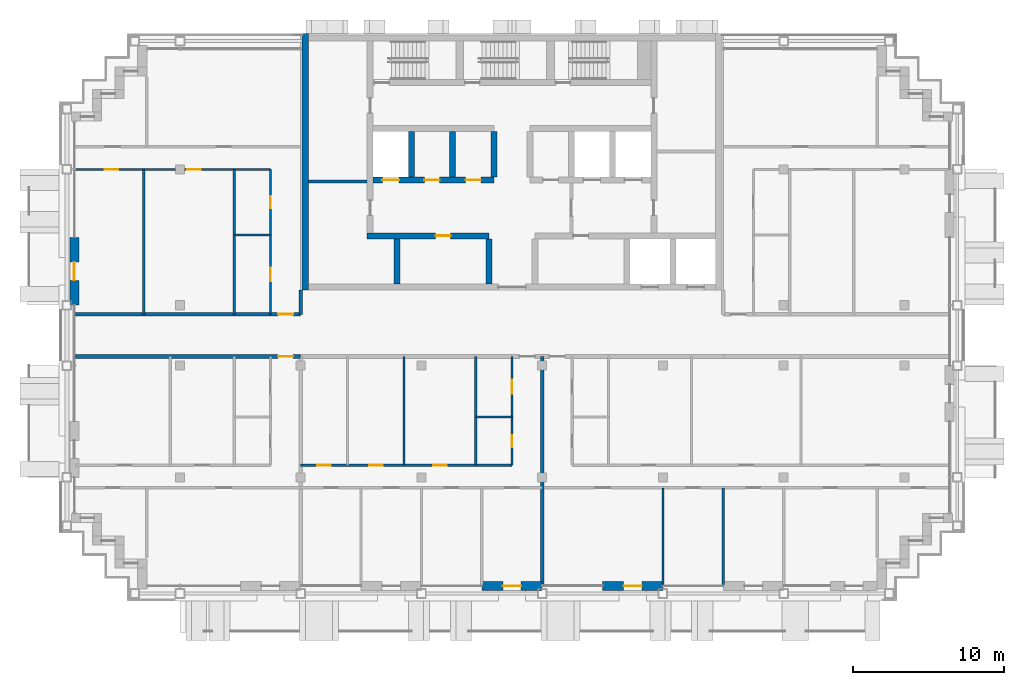
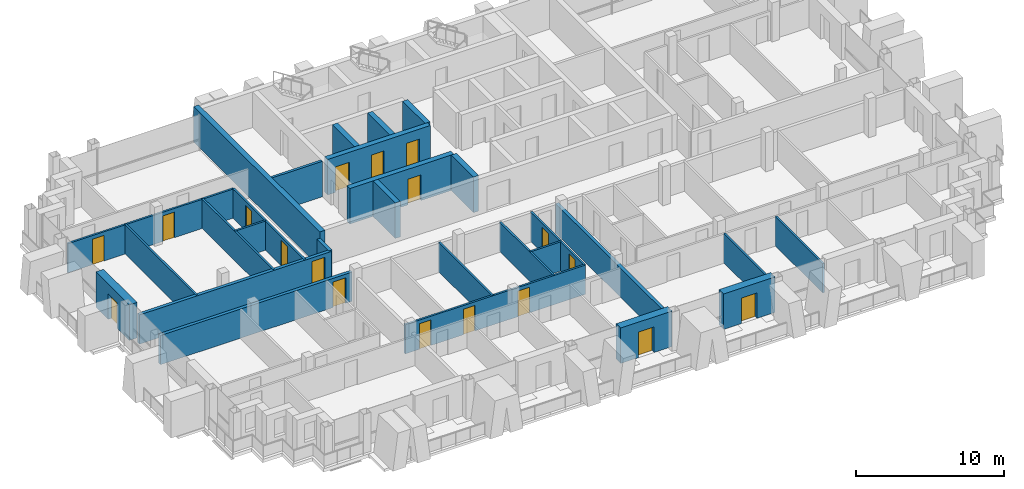
# One storey, part 8 of 15: 28 walls, 18 doors, 18 openings.
"""IFC4 building model written with IfcOpenShell, lengths in metres."""

from ifc_helpers import new_model, si_unit, direction, frame, frame_2d, origin, place, context, subcontext, project, spatial, rectangle, extrude, material, layer, layer_set, type_object, element, fill, save


model = new_model("IFC4")

# Units and contexts
model_context = context("Model", 3, precision=1e-05, world=origin(), true_north=direction((0.0, 1.0)))
body_context = subcontext(model_context, "Body", "Model", "MODEL_VIEW")
ifc_project = project(units=[si_unit("LENGTHUNIT", "METRE"), si_unit("AREAUNIT", "SQUARE_METRE"), si_unit("VOLUMEUNIT", "CUBIC_METRE"), si_unit("PLANEANGLEUNIT", "RADIAN"), si_unit("MASSUNIT", "GRAM", prefix="KILO")], contexts=[model_context])

# Site, building, storey
site_placement = place(None, origin())
site = spatial("IfcSite", under=ifc_project, at=site_placement, CompositionType="ELEMENT")
building_placement = place(site_placement, origin())
building = spatial("IfcBuilding", under=site, at=building_placement, Name="Vidyagriha Tower", CompositionType="ELEMENT")
storey_placement = place(building_placement, frame((0.0, 0.0, 233.199951171875)))
storey = spatial("IfcBuildingStorey", under=building, at=storey_placement, Name="L61", CompositionType="ELEMENT", Elevation=233.199951171875)

# Wall, opening, door
ifc_material_1 = material(Name="Precast concrete C40/50 with brick facing", Category="concrete")
ifc_layer_1 = layer(ifc_material_1, 0.60009765625)
ifc_layer_set_1 = layer_set([ifc_layer_1], Name="Precast concrete C40/50 with brick facing")
wall_type_1 = type_object("IfcWallType", Name="Brick-faced precast wall 600", PredefinedType="STANDARD", material=ifc_layer_set_1)
wall_1_placement = place(storey_placement, frame((-29.0, 6.5, 0.0), z_axis=(0.0, 0.0, 1.0), x_axis=(0.0, -1.0, 0.0)))
wall_1 = element("IfcWall", 1, at=wall_1_placement, inside=storey, type_object=wall_type_1, Name="Brick door bay wall L61 R16.3", PredefinedType="STANDARD", context=body_context, shape_type="SweptSolid", body=[
    extrude(rectangle(XDim=4.5, YDim=0.60009765625, at=frame_2d((2.25, 0.0))), origin(), (0.0, 0.0, 1.0), 2.920166015625),
])
opening_1_placement = place(wall_1_placement, frame((1.64990234375, 0.0, 0.0)))
opening_1 = element("IfcOpeningElement", 2, at=opening_1_placement, cuts=wall_1, Name="Opening D61-57", PredefinedType="OPENING", context=body_context, shape_type="SweptSolid", body=[
    extrude(rectangle(XDim=1.199951171875, YDim=2.10009765625, at=frame_2d((0.60009765625, 1.050048828125))), frame((0.0, 0.31005859375, 0.0), z_axis=(0.0, -1.0, 0.0), x_axis=(1.0, 0.0, 0.0)), (0.0, 0.0, 1.0), 0.6201171875),
])
ifc_material_2 = material(Name="Aluminium framed glazed sliding door", Category="aluminium")
door_type_1 = type_object("IfcDoorType", Name="Balcony sliding door 1200x2100", OperationType="NOTDEFINED", PredefinedType="DOOR", material=ifc_material_2)
door_1_placement = place(opening_1_placement, origin())
door_1 = element("IfcDoor", 3, at=door_1_placement, inside=storey, type_object=door_type_1, Name="Door D61-57", OperationType="SLIDING_TO_LEFT", OverallHeight=2.10009765625, OverallWidth=1.199951171875, PredefinedType="DOOR", context=body_context, shape_type="SweptSolid", body=[
    extrude(rectangle(XDim=1.199951171875, YDim=2.10009765625, at=frame_2d((0.60009765625, 1.050048828125))), frame((0.0, 0.02490234375, 0.0), z_axis=(0.0, -1.0, 0.0), x_axis=(1.0, 0.0, 0.0)), (0.0, 0.0, 1.0), 0.050048828125),
])
fill(opening_1, door_1)

wall_2_placement = place(storey_placement, frame((-2.0, -16.60009765625, 0.0)))
wall_2 = element("IfcWall", 4, at=wall_2_placement, inside=storey, type_object=wall_type_1, Name="Brick door bay wall L61 R23.7", PredefinedType="STANDARD", context=body_context, shape_type="SweptSolid", body=[
    extrude(rectangle(XDim=4.0, YDim=0.60009765625, at=frame_2d((2.0, 0.0))), origin(), (0.0, 0.0, 1.0), 2.920166015625),
])
opening_2_placement = place(wall_2_placement, frame((1.39990234375, 0.0, 0.0)))
opening_2 = element("IfcOpeningElement", 5, at=opening_2_placement, cuts=wall_2, Name="Opening D61-61", PredefinedType="OPENING", context=body_context, shape_type="SweptSolid", body=[
    extrude(rectangle(XDim=1.199951171875, YDim=2.10009765625, at=frame_2d((0.60009765625, 1.050048828125))), frame((0.0, 0.31005859375, 0.0), z_axis=(0.0, -1.0, 0.0), x_axis=(1.0, 0.0, 0.0)), (0.0, 0.0, 1.0), 0.6201171875),
])
door_2_placement = place(opening_2_placement, origin())
door_2 = element("IfcDoor", 6, at=door_2_placement, inside=storey, type_object=door_type_1, Name="Door D61-61", OperationType="SLIDING_TO_LEFT", OverallHeight=2.10009765625, OverallWidth=1.199951171875, PredefinedType="DOOR", context=body_context, shape_type="SweptSolid", body=[
    extrude(rectangle(XDim=1.199951171875, YDim=2.10009765625, at=frame_2d((0.60009765625, 1.050048828125))), frame((0.0, 0.02490234375, 0.0), z_axis=(0.0, -1.0, 0.0), x_axis=(1.0, 0.0, 0.0)), (0.0, 0.0, 1.0), 0.050048828125),
])
fill(opening_2, door_2)

wall_3_placement = place(storey_placement, frame((6.0, -16.60009765625, 0.0)))
wall_3 = element("IfcWall", 7, at=wall_3_placement, inside=storey, type_object=wall_type_1, Name="Brick door bay wall L61 R23.9", PredefinedType="STANDARD", context=body_context, shape_type="SweptSolid", body=[
    extrude(rectangle(XDim=4.0, YDim=0.60009765625, at=frame_2d((2.0, 0.0))), origin(), (0.0, 0.0, 1.0), 2.920166015625),
])
opening_3_placement = place(wall_3_placement, frame((1.39990234375, 0.0, 0.0)))
opening_3 = element("IfcOpeningElement", 8, at=opening_3_placement, cuts=wall_3, Name="Opening D61-62", PredefinedType="OPENING", context=body_context, shape_type="SweptSolid", body=[
    extrude(rectangle(XDim=1.199951171875, YDim=2.10009765625, at=frame_2d((0.60009765625, 1.050048828125))), frame((0.0, 0.31005859375, 0.0), z_axis=(0.0, -1.0, 0.0), x_axis=(1.0, 0.0, 0.0)), (0.0, 0.0, 1.0), 0.6201171875),
])
door_3_placement = place(opening_3_placement, origin())
door_3 = element("IfcDoor", 9, at=door_3_placement, inside=storey, type_object=door_type_1, Name="Door D61-62", OperationType="SLIDING_TO_LEFT", OverallHeight=2.10009765625, OverallWidth=1.199951171875, PredefinedType="DOOR", context=body_context, shape_type="SweptSolid", body=[
    extrude(rectangle(XDim=1.199951171875, YDim=2.10009765625, at=frame_2d((0.60009765625, 1.050048828125))), frame((0.0, 0.02490234375, 0.0), z_axis=(0.0, -1.0, 0.0), x_axis=(1.0, 0.0, 0.0)), (0.0, 0.0, 1.0), 0.050048828125),
])
fill(opening_3, door_3)

# Wall
ifc_material_3 = material(Name="Concrete C60/75", Category="concrete")
ifc_layer_2 = layer(ifc_material_3, 0.39990234375)
ifc_layer_set_2 = layer_set([ifc_layer_2], Name="Concrete C60/75")
wall_type_2 = type_object("IfcWallType", Name="Core shear wall 400 mm", PredefinedType="SHEAR", material=ifc_layer_set_2)
wall_4_placement = place(storey_placement, frame((-13.699951171875, 3.0, 0.0), z_axis=(0.0, 0.0, 1.0), x_axis=(0.0, 1.0, 0.0)))
element("IfcWall", 10, at=wall_4_placement, inside=storey, type_object=wall_type_2, Name="Core west wall", PredefinedType="SHEAR", context=body_context, shape_type="SweptSolid", body=[
    extrude(rectangle(XDim=17.0, YDim=0.39990234375, at=frame_2d((8.5, 0.0))), origin(), (0.0, 0.0, 1.0), 2.920166015625),
])

# Wall, opening, door
wall_5_placement = place(storey_placement, frame((-9.60009765625, 6.60009765625, 0.0)))
wall_5 = element("IfcWall", 11, at=wall_5_placement, inside=storey, type_object=wall_type_2, Name="Core lobby south wall west", PredefinedType="SHEAR", context=body_context, shape_type="SweptSolid", body=[
    extrude(rectangle(XDim=8.077880859375, YDim=0.39990234375, at=frame_2d((4.0390625, 0.0))), origin(), (0.0, 0.0, 1.0), 2.920166015625),
])
opening_4_placement = place(wall_5_placement, frame((4.533203125, 0.0, 0.0)))
opening_4 = element("IfcOpeningElement", 12, at=opening_4_placement, cuts=wall_5, Name="Opening D61-02", PredefinedType="OPENING", context=body_context, shape_type="SweptSolid", body=[
    extrude(rectangle(XDim=1.0, YDim=2.10009765625, at=frame_2d((0.5, 1.050048828125))), frame((0.0, 0.2099609375, 0.0), z_axis=(0.0, -1.0, 0.0), x_axis=(1.0, 0.0, 0.0)), (0.0, 0.0, 1.0), 0.419921875),
])
ifc_material_4 = material(Name="Hollow metal door leaf")
door_type_2 = type_object("IfcDoorType", Name="Core room door 1000 x 2100 mm EI 60", OperationType="NOTDEFINED", PredefinedType="DOOR", material=ifc_material_4)
door_4_placement = place(opening_4_placement, origin())
door_4 = element("IfcDoor", 13, at=door_4_placement, inside=storey, type_object=door_type_2, Name="Door Electrical Room 61.01", OperationType="SINGLE_SWING_RIGHT", OverallHeight=2.10009765625, OverallWidth=1.0, PredefinedType="DOOR", context=body_context, shape_type="SweptSolid", body=[
    extrude(rectangle(XDim=1.0, YDim=2.10009765625, at=frame_2d((0.5, 1.050048828125))), frame((0.0, 0.02490234375, 0.0), z_axis=(0.0, -1.0, 0.0), x_axis=(1.0, 0.0, 0.0)), (0.0, 0.0, 1.0), 0.050048828125),
])
fill(opening_4, door_4)

# Walls
for number, where, z_axis, x_axis, name in (
    (14, (-7.611083984375, 3.39990234375, 0.0), (0.0, 0.0, 1.0), (0.0, 1.0, 0.0), "Core bay wall S2"),
    (15, (-1.522216796875, 3.39990234375, 0.0), (0.0, 0.0, 1.0), (0.0, 1.0, 0.0), "Core bay wall S4"),
):
    element("IfcWall", number, at=place(storey_placement, frame(where, z_axis=z_axis, x_axis=x_axis)), inside=storey, type_object=wall_type_2, Name=name, PredefinedType="SHEAR", context=body_context, shape_type="SweptSolid", body=[
        extrude(rectangle(XDim=3.0, YDim=0.39990234375, at=frame_2d((1.5, 0.0))), origin(), (0.0, 0.0, 1.0), 2.920166015625),
    ])

# Wall, openings, doors
wall_6_placement = place(storey_placement, frame((-9.199951171875, 10.300048828125, 0.0)))
wall_6 = element("IfcWall", 16, at=wall_6_placement, inside=storey, type_object=wall_type_2, Name="Core row N front wall", PredefinedType="SHEAR", context=body_context, shape_type="SweptSolid", body=[
    extrude(rectangle(XDim=8.0, YDim=0.39990234375, at=frame_2d((4.0, 0.0))), origin(), (0.0, 0.0, 1.0), 2.920166015625),
])
opening_5_placement = place(wall_6_placement, frame((0.61669921875, 0.0, 0.0)))
opening_5 = element("IfcOpeningElement", 17, at=opening_5_placement, cuts=wall_6, Name="Opening LD61-03", PredefinedType="OPENING", context=body_context, shape_type="SweptSolid", body=[
    extrude(rectangle(XDim=1.10009765625, YDim=2.10009765625, at=frame_2d((0.550048828125, 1.050048828125))), frame((0.0, 0.2099609375, 0.0), z_axis=(0.0, -1.0, 0.0), x_axis=(1.0, 0.0, 0.0)), (0.0, 0.0, 1.0), 0.419921875),
])
opening_6_placement = place(wall_6_placement, frame((3.39990234375, 0.0, 0.0)))
opening_6 = element("IfcOpeningElement", 18, at=opening_6_placement, cuts=wall_6, Name="Opening D61-04", PredefinedType="OPENING", context=body_context, shape_type="SweptSolid", body=[
    extrude(rectangle(XDim=1.0, YDim=2.10009765625, at=frame_2d((0.5, 1.050048828125))), frame((0.0, 0.2099609375, 0.0), z_axis=(0.0, -1.0, 0.0), x_axis=(1.0, 0.0, 0.0)), (0.0, 0.0, 1.0), 0.419921875),
])
opening_7_placement = place(wall_6_placement, frame((6.13330078125, 0.0, 0.0)))
opening_7 = element("IfcOpeningElement", 19, at=opening_7_placement, cuts=wall_6, Name="Opening D61-05", PredefinedType="OPENING", context=body_context, shape_type="SweptSolid", body=[
    extrude(rectangle(XDim=1.0, YDim=2.10009765625, at=frame_2d((0.5, 1.050048828125))), frame((0.0, 0.2099609375, 0.0), z_axis=(0.0, -1.0, 0.0), x_axis=(1.0, 0.0, 0.0)), (0.0, 0.0, 1.0), 0.419921875),
])
door_5_placement = place(opening_6_placement, frame((1.0, 0.0, 0.0), z_axis=(0.0, 0.0, 1.0), x_axis=(-1.0, 0.0, 0.0)))
door_5 = element("IfcDoor", 20, at=door_5_placement, inside=storey, type_object=door_type_2, Name="Door Switchgear Room 61.14", OperationType="SINGLE_SWING_RIGHT", OverallHeight=2.10009765625, OverallWidth=1.0, PredefinedType="DOOR", context=body_context, shape_type="SweptSolid", body=[
    extrude(rectangle(XDim=1.0, YDim=2.10009765625, at=frame_2d((0.5, 1.050048828125))), frame((0.0, 0.02490234375, 0.0), z_axis=(0.0, -1.0, 0.0), x_axis=(1.0, 0.0, 0.0)), (0.0, 0.0, 1.0), 0.050048828125),
])
fill(opening_6, door_5)
door_6_placement = place(opening_7_placement, frame((1.0, 0.0, 0.0), z_axis=(0.0, 0.0, 1.0), x_axis=(-1.0, 0.0, 0.0)))
door_6 = element("IfcDoor", 21, at=door_6_placement, inside=storey, type_object=door_type_2, Name="Door Storage Room 61.15", OperationType="SINGLE_SWING_LEFT", OverallHeight=2.10009765625, OverallWidth=1.0, PredefinedType="DOOR", context=body_context, shape_type="SweptSolid", body=[
    extrude(rectangle(XDim=1.0, YDim=2.10009765625, at=frame_2d((0.5, 1.050048828125))), frame((0.0, 0.02490234375, 0.0), z_axis=(0.0, -1.0, 0.0), x_axis=(1.0, 0.0, 0.0)), (0.0, 0.0, 1.0), 0.050048828125),
])
fill(opening_7, door_6)
ifc_material_5 = material(Name="Stainless steel sliding door panel", Category="steel")
door_type_3 = type_object("IfcDoorType", Name="Lift landing door 1100 x 2100 mm EI 90", OperationType="NOTDEFINED", PredefinedType="DOOR", material=ifc_material_5)
door_7_placement = place(opening_5_placement, origin())
door_7 = element("IfcDoor", 22, at=door_7_placement, inside=storey, type_object=door_type_3, Name="Landing door MR3 L61", OperationType="SLIDING_TO_LEFT", OverallHeight=2.10009765625, OverallWidth=1.10009765625, PredefinedType="DOOR", context=body_context, shape_type="SweptSolid", body=[
    extrude(rectangle(XDim=1.10009765625, YDim=2.10009765625, at=frame_2d((0.550048828125, 1.050048828125))), frame((0.0, 0.02490234375, 0.0), z_axis=(0.0, -1.0, 0.0), x_axis=(1.0, 0.0, 0.0)), (0.0, 0.0, 1.0), 0.050048828125),
])
fill(opening_5, door_7)

# Walls
for number, where, z_axis, x_axis, name in (
    (23, (-6.666748046875, 10.5, 0.0), (0.0, 0.0, 1.0), (0.0, 1.0, 0.0), "Core bay wall N1"),
    (24, (-3.933349609375, 10.5, 0.0), (0.0, 0.0, 1.0), (0.0, 1.0, 0.0), "Core bay wall N2"),
    (25, (-1.199951171875, 10.5, 0.0), (0.0, 0.0, 1.0), (0.0, 1.0, 0.0), "Core bay wall N3"),
):
    element("IfcWall", number, at=place(storey_placement, frame(where, z_axis=z_axis, x_axis=x_axis)), inside=storey, type_object=wall_type_2, Name=name, PredefinedType="SHEAR", context=body_context, shape_type="SweptSolid", body=[
        extrude(rectangle(XDim=3.0, YDim=0.39990234375, at=frame_2d((1.5, 0.0))), origin(), (0.0, 0.0, 1.0), 2.920166015625),
    ])

# Wall, opening, door
ifc_material_6 = material(Name="Fired clay brick masonry", Category="masonry")
ifc_layer_3 = layer(ifc_material_6, 0.25)
ifc_layer_set_3 = layer_set([ifc_layer_3], Name="Fired clay brick masonry")
wall_type_3 = type_object("IfcWallType", Name="Fired clay brick corridor wall 250", PredefinedType="PARTITIONING", material=ifc_layer_set_3)
wall_7_placement = place(storey_placement, frame((-14.0, -1.39990234375, 0.0), z_axis=(0.0, 0.0, 1.0), x_axis=(-1.0, 0.0, 0.0)))
wall_7 = element("IfcWall", 26, at=wall_7_placement, inside=storey, type_object=wall_type_3, Name="Wall all-L61-w059", PredefinedType="PARTITIONING", context=body_context, shape_type="SweptSolid", body=[
    extrude(rectangle(XDim=14.919921875, YDim=0.25, at=frame_2d((7.4599609375, 0.0))), origin(), (0.0, 0.0, 1.0), 2.400146484375),
])
opening_8_placement = place(wall_7_placement, frame((0.5, 0.0, 0.0)))
opening_8 = element("IfcOpeningElement", 27, at=opening_8_placement, cuts=wall_7, Name="Opening D61-21", PredefinedType="OPENING", context=body_context, shape_type="SweptSolid", body=[
    extrude(rectangle(XDim=1.0, YDim=2.10009765625, at=frame_2d((0.5, 1.050048828125))), frame((0.0, 0.135009765625, 0.0), z_axis=(0.0, -1.0, 0.0), x_axis=(1.0, 0.0, 0.0)), (0.0, 0.0, 1.0), 0.27001953125),
])
ifc_material_7 = material(Name="Fire-rated timber door leaf EI 60", Category="wood")
door_type_4 = type_object("IfcDoorType", Name="Flat entrance fire door 1000x2100", OperationType="NOTDEFINED", PredefinedType="DOOR", material=ifc_material_7)
door_8_placement = place(opening_8_placement, origin())
door_8 = element("IfcDoor", 28, at=door_8_placement, inside=storey, type_object=door_type_4, Name="Door D61-21", OperationType="SINGLE_SWING_LEFT", OverallHeight=2.10009765625, OverallWidth=1.0, PredefinedType="DOOR", context=body_context, shape_type="SweptSolid", body=[
    extrude(rectangle(XDim=1.0, YDim=2.10009765625, at=frame_2d((0.5, 1.050048828125))), frame((0.0, 0.02490234375, 0.0), z_axis=(0.0, -1.0, 0.0), x_axis=(1.0, 0.0, 0.0)), (0.0, 0.0, 1.0), 0.050048828125),
])
fill(opening_8, door_8)

wall_8_placement = place(storey_placement, frame((-28.919921875, 1.39990234375, 0.0)))
wall_8 = element("IfcWall", 29, at=wall_8_placement, inside=storey, type_object=wall_type_3, Name="Wall all-L61-w075", PredefinedType="PARTITIONING", context=body_context, shape_type="SweptSolid", body=[
    extrude(rectangle(XDim=14.919921875, YDim=0.25, at=frame_2d((7.4599609375, 0.0))), origin(), (0.0, 0.0, 1.0), 2.400146484375),
])
opening_9_placement = place(wall_8_placement, frame((13.419921875, 0.0, 0.0)))
opening_9 = element("IfcOpeningElement", 30, at=opening_9_placement, cuts=wall_8, Name="Opening D61-49", PredefinedType="OPENING", context=body_context, shape_type="SweptSolid", body=[
    extrude(rectangle(XDim=1.0, YDim=2.10009765625, at=frame_2d((0.5, 1.050048828125))), frame((0.0, 0.135009765625, 0.0), z_axis=(0.0, -1.0, 0.0), x_axis=(1.0, 0.0, 0.0)), (0.0, 0.0, 1.0), 0.27001953125),
])
door_9_placement = place(opening_9_placement, origin())
door_9 = element("IfcDoor", 31, at=door_9_placement, inside=storey, type_object=door_type_4, Name="Door D61-49", OperationType="SINGLE_SWING_RIGHT", OverallHeight=2.10009765625, OverallWidth=1.0, PredefinedType="DOOR", context=body_context, shape_type="SweptSolid", body=[
    extrude(rectangle(XDim=1.0, YDim=2.10009765625, at=frame_2d((0.5, 1.050048828125))), frame((0.0, 0.02490234375, 0.0), z_axis=(0.0, -1.0, 0.0), x_axis=(1.0, 0.0, 0.0)), (0.0, 0.0, 1.0), 0.050048828125),
])
fill(opening_9, door_9)

# Walls
wall_9_placement = place(storey_placement, frame((-14.0, 3.0, 0.0), z_axis=(0.0, 0.0, 1.0), x_axis=(0.0, -1.0, 0.0)))
element("IfcWall", 32, at=wall_9_placement, inside=storey, type_object=wall_type_3, Name="Wall all-L61-w092", PredefinedType="PARTITIONING", context=body_context, shape_type="SweptSolid", body=[
    extrude(rectangle(XDim=1.60009765625, YDim=0.25, at=frame_2d((0.800048828125, 0.0))), origin(), (0.0, 0.0, 1.0), 2.400146484375),
])
ifc_material_8 = material(Name="Fired clay brick masonry", Category="masonry")
ifc_layer_4 = layer(ifc_material_8, 0.25)
ifc_layer_set_4 = layer_set([ifc_layer_4], Name="Fired clay brick masonry")
wall_type_4 = type_object("IfcWallType", Name="Fired clay brick demising wall 250", PredefinedType="PARTITIONING", material=ifc_layer_set_4)
wall_10_placement = place(storey_placement, frame((2.0, -1.39990234375, 0.0), z_axis=(0.0, 0.0, 1.0), x_axis=(0.0, -1.0, 0.0)))
element("IfcWall", 33, at=wall_10_placement, inside=storey, type_object=wall_type_4, Name="Wall all-L61-w058", PredefinedType="PARTITIONING", context=body_context, shape_type="SweptSolid", body=[
    extrude(rectangle(XDim=15.110107421875, YDim=0.25, at=frame_2d((7.55517578125, 0.0))), origin(), (0.0, 0.0, 1.0), 2.400146484375),
])
ifc_material_9 = material(Name="Gypsum board partition")
ifc_layer_5 = layer(ifc_material_9, 0.14990234375)
ifc_layer_set_5 = layer_set([ifc_layer_5], Name="Gypsum board partition")
wall_type_5 = type_object("IfcWallType", Name="Gypsum board partition 150", PredefinedType="PARTITIONING", material=ifc_layer_set_5)
wall_11_placement = place(storey_placement, frame((0.0, -5.39990234375, 0.0), z_axis=(0.0, 0.0, 1.0), x_axis=(-1.0, 0.0, 0.0)))
element("IfcWall", 34, at=wall_11_placement, inside=storey, type_object=wall_type_5, Name="Wall all-L61-w018", PredefinedType="PARTITIONING", context=body_context, shape_type="SweptSolid", body=[
    extrude(rectangle(XDim=2.39990234375, YDim=0.14990234375, at=frame_2d((1.199951171875, 0.0))), origin(), (0.0, 0.0, 1.0), 2.400146484375),
])
for number, where, z_axis, x_axis, name in (
    (35, (-2.39990234375, -8.60009765625, 0.0), (0.0, 0.0, 1.0), (0.0, 1.0, 0.0), "Wall all-L61-w019"),
    (36, (-7.14990234375, -8.60009765625, 0.0), (0.0, 0.0, 1.0), (0.0, 1.0, 0.0), "Wall all-L61-w020"),
):
    element("IfcWall", number, at=place(storey_placement, frame(where, z_axis=z_axis, x_axis=x_axis)), inside=storey, type_object=wall_type_5, Name=name, PredefinedType="PARTITIONING", context=body_context, shape_type="SweptSolid", body=[
        extrude(rectangle(XDim=7.2001953125, YDim=0.14990234375, at=frame_2d((3.60009765625, 0.0))), origin(), (0.0, 0.0, 1.0), 2.400146484375),
    ])

# Wall, openings, doors
wall_12_placement = place(storey_placement, frame((-14.0, -8.60009765625, 0.0)))
wall_12 = element("IfcWall", 37, at=wall_12_placement, inside=storey, type_object=wall_type_5, Name="Wall all-L61-w022", PredefinedType="PARTITIONING", context=body_context, shape_type="SweptSolid", body=[
    extrude(rectangle(XDim=14.0, YDim=0.14990234375, at=frame_2d((7.0, 0.0))), origin(), (0.0, 0.0, 1.0), 2.400146484375),
])
opening_10_placement = place(wall_12_placement, frame((8.77490234375, 0.0, 0.0)))
opening_10 = element("IfcOpeningElement", 38, at=opening_10_placement, cuts=wall_12, Name="Opening D61-24", PredefinedType="OPENING", context=body_context, shape_type="SweptSolid", body=[
    extrude(rectangle(XDim=0.89990234375, YDim=2.10009765625, at=frame_2d((0.449951171875, 1.050048828125))), frame((0.0, 0.0849609375, 0.0), z_axis=(0.0, -1.0, 0.0), x_axis=(1.0, 0.0, 0.0)), (0.0, 0.0, 1.0), 0.169921875),
])
opening_11_placement = place(wall_12_placement, frame((4.52490234375, 0.0, 0.0)))
opening_11 = element("IfcOpeningElement", 39, at=opening_11_placement, cuts=wall_12, Name="Opening D61-25", PredefinedType="OPENING", context=body_context, shape_type="SweptSolid", body=[
    extrude(rectangle(XDim=0.89990234375, YDim=2.10009765625, at=frame_2d((0.449951171875, 1.050048828125))), frame((0.0, 0.0849609375, 0.0), z_axis=(0.0, -1.0, 0.0), x_axis=(1.0, 0.0, 0.0)), (0.0, 0.0, 1.0), 0.169921875),
])
opening_12_placement = place(wall_12_placement, frame((1.10009765625, 0.0, 0.0)))
opening_12 = element("IfcOpeningElement", 40, at=opening_12_placement, cuts=wall_12, Name="Opening D61-26", PredefinedType="OPENING", context=body_context, shape_type="SweptSolid", body=[
    extrude(rectangle(XDim=0.89990234375, YDim=2.10009765625, at=frame_2d((0.449951171875, 1.050048828125))), frame((0.0, 0.0849609375, 0.0), z_axis=(0.0, -1.0, 0.0), x_axis=(1.0, 0.0, 0.0)), (0.0, 0.0, 1.0), 0.169921875),
])
ifc_material_10 = material(Name="Timber door leaf", Category="wood")
door_type_5 = type_object("IfcDoorType", Name="Room door 900x2100", OperationType="NOTDEFINED", PredefinedType="DOOR", material=ifc_material_10)
door_10_placement = place(opening_10_placement, origin())
door_10 = element("IfcDoor", 41, at=door_10_placement, inside=storey, type_object=door_type_5, Name="Door D61-24", OperationType="SINGLE_SWING_LEFT", OverallHeight=2.10009765625, OverallWidth=0.89990234375, PredefinedType="DOOR", context=body_context, shape_type="SweptSolid", body=[
    extrude(rectangle(XDim=0.89990234375, YDim=2.10009765625, at=frame_2d((0.449951171875, 1.050048828125))), frame((0.0, 0.02490234375, 0.0), z_axis=(0.0, -1.0, 0.0), x_axis=(1.0, 0.0, 0.0)), (0.0, 0.0, 1.0), 0.050048828125),
])
fill(opening_10, door_10)
door_11_placement = place(opening_11_placement, origin())
door_11 = element("IfcDoor", 42, at=door_11_placement, inside=storey, type_object=door_type_5, Name="Door D61-25", OperationType="SINGLE_SWING_RIGHT", OverallHeight=2.10009765625, OverallWidth=0.89990234375, PredefinedType="DOOR", context=body_context, shape_type="SweptSolid", body=[
    extrude(rectangle(XDim=0.89990234375, YDim=2.10009765625, at=frame_2d((0.449951171875, 1.050048828125))), frame((0.0, 0.02490234375, 0.0), z_axis=(0.0, -1.0, 0.0), x_axis=(1.0, 0.0, 0.0)), (0.0, 0.0, 1.0), 0.050048828125),
])
fill(opening_11, door_11)
door_12_placement = place(opening_12_placement, origin())
door_12 = element("IfcDoor", 43, at=door_12_placement, inside=storey, type_object=door_type_5, Name="Door D61-26", OperationType="SINGLE_SWING_RIGHT", OverallHeight=2.10009765625, OverallWidth=0.89990234375, PredefinedType="DOOR", context=body_context, shape_type="SweptSolid", body=[
    extrude(rectangle(XDim=0.89990234375, YDim=2.10009765625, at=frame_2d((0.449951171875, 1.050048828125))), frame((0.0, 0.02490234375, 0.0), z_axis=(0.0, -1.0, 0.0), x_axis=(1.0, 0.0, 0.0)), (0.0, 0.0, 1.0), 0.050048828125),
])
fill(opening_12, door_12)

# Walls
wall_13_placement = place(storey_placement, frame((10.0, -10.10009765625, 0.0), z_axis=(0.0, 0.0, 1.0), x_axis=(0.0, -1.0, 0.0)))
element("IfcWall", 44, at=wall_13_placement, inside=storey, type_object=wall_type_5, Name="Wall all-L61-w053", PredefinedType="PARTITIONING", context=body_context, shape_type="SweptSolid", body=[
    extrude(rectangle(XDim=6.409912109375, YDim=0.14990234375, at=frame_2d((3.205078125, 0.0))), origin(), (0.0, 0.0, 1.0), 2.400146484375),
])
wall_14_placement = place(storey_placement, frame((14.0, -10.10009765625, 0.0), z_axis=(0.0, 0.0, 1.0), x_axis=(0.0, -1.0, 0.0)))
element("IfcWall", 45, at=wall_14_placement, inside=storey, type_object=wall_type_5, Name="Wall all-L61-w054", PredefinedType="PARTITIONING", context=body_context, shape_type="SweptSolid", body=[
    extrude(rectangle(XDim=6.4208984375, YDim=0.14990234375, at=frame_2d((3.21044921875, 0.0))), origin(), (0.0, 0.0, 1.0), 2.400146484375),
])
wall_15_placement = place(storey_placement, frame((-18.39990234375, 6.64990234375, 0.0)))
element("IfcWall", 46, at=wall_15_placement, inside=storey, type_object=wall_type_5, Name="Wall all-L61-w064", PredefinedType="PARTITIONING", context=body_context, shape_type="SweptSolid", body=[
    extrude(rectangle(XDim=2.39990234375, YDim=0.14990234375, at=frame_2d((1.199951171875, 0.0))), origin(), (0.0, 0.0, 1.0), 2.400146484375),
])
for number, where, z_axis, x_axis, name in (
    (47, (-18.39990234375, 1.39990234375, 0.0), (0.0, 0.0, 1.0), (0.0, 1.0, 0.0), "Wall all-L61-w065"),
    (48, (-24.39990234375, 1.39990234375, 0.0), (0.0, 0.0, 1.0), (0.0, 1.0, 0.0), "Wall all-L61-w066"),
):
    element("IfcWall", number, at=place(storey_placement, frame(where, z_axis=z_axis, x_axis=x_axis)), inside=storey, type_object=wall_type_5, Name=name, PredefinedType="PARTITIONING", context=body_context, shape_type="SweptSolid", body=[
        extrude(rectangle(XDim=9.60009765625, YDim=0.14990234375, at=frame_2d((4.800048828125, 0.0))), origin(), (0.0, 0.0, 1.0), 2.400146484375),
    ])

# Wall, openings, doors
wall_16_placement = place(storey_placement, frame((-16.0, 11.0, 0.0), z_axis=(0.0, 0.0, 1.0), x_axis=(-1.0, 0.0, 0.0)))
wall_16 = element("IfcWall", 49, at=wall_16_placement, inside=storey, type_object=wall_type_5, Name="Wall all-L61-w067", PredefinedType="PARTITIONING", context=body_context, shape_type="SweptSolid", body=[
    extrude(rectangle(XDim=12.919921875, YDim=0.14990234375, at=frame_2d((6.4599609375, 0.0))), origin(), (0.0, 0.0, 1.0), 2.400146484375),
])
opening_13_placement = place(wall_16_placement, frame((4.6240234375, 0.0, 0.0)))
opening_13 = element("IfcOpeningElement", 50, at=opening_13_placement, cuts=wall_16, Name="Opening D61-45", PredefinedType="OPENING", context=body_context, shape_type="SweptSolid", body=[
    extrude(rectangle(XDim=0.89990234375, YDim=2.10009765625, at=frame_2d((0.449951171875, 1.050048828125))), frame((0.0, 0.0849609375, 0.0), z_axis=(0.0, -1.0, 0.0), x_axis=(1.0, 0.0, 0.0)), (0.0, 0.0, 1.0), 0.169921875),
])
opening_14_placement = place(wall_16_placement, frame((10.10009765625, 0.0, 0.0)))
opening_14 = element("IfcOpeningElement", 51, at=opening_14_placement, cuts=wall_16, Name="Opening D61-46", PredefinedType="OPENING", context=body_context, shape_type="SweptSolid", body=[
    extrude(rectangle(XDim=0.89990234375, YDim=2.10009765625, at=frame_2d((0.449951171875, 1.050048828125))), frame((0.0, 0.0849609375, 0.0), z_axis=(0.0, -1.0, 0.0), x_axis=(1.0, 0.0, 0.0)), (0.0, 0.0, 1.0), 0.169921875),
])
door_13_placement = place(opening_13_placement, origin())
door_13 = element("IfcDoor", 52, at=door_13_placement, inside=storey, type_object=door_type_5, Name="Door D61-45", OperationType="SINGLE_SWING_LEFT", OverallHeight=2.10009765625, OverallWidth=0.89990234375, PredefinedType="DOOR", context=body_context, shape_type="SweptSolid", body=[
    extrude(rectangle(XDim=0.89990234375, YDim=2.10009765625, at=frame_2d((0.449951171875, 1.050048828125))), frame((0.0, 0.02490234375, 0.0), z_axis=(0.0, -1.0, 0.0), x_axis=(1.0, 0.0, 0.0)), (0.0, 0.0, 1.0), 0.050048828125),
])
fill(opening_13, door_13)
door_14_placement = place(opening_14_placement, origin())
door_14 = element("IfcDoor", 53, at=door_14_placement, inside=storey, type_object=door_type_5, Name="Door D61-46", OperationType="SINGLE_SWING_RIGHT", OverallHeight=2.10009765625, OverallWidth=0.89990234375, PredefinedType="DOOR", context=body_context, shape_type="SweptSolid", body=[
    extrude(rectangle(XDim=0.89990234375, YDim=2.10009765625, at=frame_2d((0.449951171875, 1.050048828125))), frame((0.0, 0.02490234375, 0.0), z_axis=(0.0, -1.0, 0.0), x_axis=(1.0, 0.0, 0.0)), (0.0, 0.0, 1.0), 0.050048828125),
])
fill(opening_14, door_14)

ifc_material_11 = material(Name="Moisture resistant gypsum board partition")
ifc_layer_6 = layer(ifc_material_11, 0.14990234375)
ifc_layer_set_6 = layer_set([ifc_layer_6], Name="Moisture resistant gypsum board partition")
wall_type_6 = type_object("IfcWallType", Name="Gypsum board wet-area partition 150", PredefinedType="PARTITIONING", material=ifc_layer_set_6)
wall_17_placement = place(storey_placement, frame((0.0, -8.60009765625, 0.0), z_axis=(0.0, 0.0, 1.0), x_axis=(0.0, 1.0, 0.0)))
wall_17 = element("IfcWall", 54, at=wall_17_placement, inside=storey, type_object=wall_type_6, Name="Wall all-L61-w015", PredefinedType="PARTITIONING", context=body_context, shape_type="SweptSolid", body=[
    extrude(rectangle(XDim=7.2001953125, YDim=0.14990234375, at=frame_2d((3.60009765625, 0.0))), origin(), (0.0, 0.0, 1.0), 2.400146484375),
])
opening_15_placement = place(wall_17_placement, frame((4.75, 0.0, 0.0)))
opening_15 = element("IfcOpeningElement", 55, at=opening_15_placement, cuts=wall_17, Name="Opening D61-22", PredefinedType="OPENING", context=body_context, shape_type="SweptSolid", body=[
    extrude(rectangle(XDim=0.89990234375, YDim=2.10009765625, at=frame_2d((0.449951171875, 1.050048828125))), frame((0.0, 0.0849609375, 0.0), z_axis=(0.0, -1.0, 0.0), x_axis=(1.0, 0.0, 0.0)), (0.0, 0.0, 1.0), 0.169921875),
])
opening_16_placement = place(wall_17_placement, frame((1.199951171875, 0.0, 0.0)))
opening_16 = element("IfcOpeningElement", 56, at=opening_16_placement, cuts=wall_17, Name="Opening D61-23", PredefinedType="OPENING", context=body_context, shape_type="SweptSolid", body=[
    extrude(rectangle(XDim=0.800048828125, YDim=2.10009765625, at=frame_2d((0.39990234375, 1.050048828125))), frame((0.0, 0.0849609375, 0.0), z_axis=(0.0, -1.0, 0.0), x_axis=(1.0, 0.0, 0.0)), (0.0, 0.0, 1.0), 0.169921875),
])
ifc_material_12 = material(Name="Timber door leaf", Category="wood")
door_type_6 = type_object("IfcDoorType", Name="Bathroom door 800x2100", OperationType="NOTDEFINED", PredefinedType="DOOR", material=ifc_material_12)
door_15_placement = place(opening_16_placement, origin())
door_15 = element("IfcDoor", 57, at=door_15_placement, inside=storey, type_object=door_type_6, Name="Door D61-23", OperationType="SINGLE_SWING_RIGHT", OverallHeight=2.10009765625, OverallWidth=0.800048828125, PredefinedType="DOOR", context=body_context, shape_type="SweptSolid", body=[
    extrude(rectangle(XDim=0.800048828125, YDim=2.10009765625, at=frame_2d((0.39990234375, 1.050048828125))), frame((0.0, 0.02490234375, 0.0), z_axis=(0.0, -1.0, 0.0), x_axis=(1.0, 0.0, 0.0)), (0.0, 0.0, 1.0), 0.050048828125),
])
fill(opening_16, door_15)
ifc_material_13 = material(Name="Timber door leaf", Category="wood")
door_type_7 = type_object("IfcDoorType", Name="Kitchen door 900x2100", OperationType="NOTDEFINED", PredefinedType="DOOR", material=ifc_material_13)
door_16_placement = place(opening_15_placement, origin())
door_16 = element("IfcDoor", 58, at=door_16_placement, inside=storey, type_object=door_type_7, Name="Door D61-22", OperationType="SINGLE_SWING_LEFT", OverallHeight=2.10009765625, OverallWidth=0.89990234375, PredefinedType="DOOR", context=body_context, shape_type="SweptSolid", body=[
    extrude(rectangle(XDim=0.89990234375, YDim=2.10009765625, at=frame_2d((0.449951171875, 1.050048828125))), frame((0.0, 0.02490234375, 0.0), z_axis=(0.0, -1.0, 0.0), x_axis=(1.0, 0.0, 0.0)), (0.0, 0.0, 1.0), 0.050048828125),
])
fill(opening_15, door_16)

wall_18_placement = place(storey_placement, frame((-16.0, 1.39990234375, 0.0), z_axis=(0.0, 0.0, 1.0), x_axis=(0.0, 1.0, 0.0)))
wall_18 = element("IfcWall", 59, at=wall_18_placement, inside=storey, type_object=wall_type_6, Name="Wall all-L61-w061", PredefinedType="PARTITIONING", context=body_context, shape_type="SweptSolid", body=[
    extrude(rectangle(XDim=9.60009765625, YDim=0.14990234375, at=frame_2d((4.800048828125, 0.0))), origin(), (0.0, 0.0, 1.0), 2.400146484375),
])
opening_17_placement = place(wall_18_placement, frame((2.175048828125, 0.0, 0.0)))
opening_17 = element("IfcOpeningElement", 60, at=opening_17_placement, cuts=wall_18, Name="Opening D61-43", PredefinedType="OPENING", context=body_context, shape_type="SweptSolid", body=[
    extrude(rectangle(XDim=0.89990234375, YDim=2.10009765625, at=frame_2d((0.449951171875, 1.050048828125))), frame((0.0, 0.0849609375, 0.0), z_axis=(0.0, -1.0, 0.0), x_axis=(1.0, 0.0, 0.0)), (0.0, 0.0, 1.0), 0.169921875),
])
opening_18_placement = place(wall_18_placement, frame((7.02490234375, 0.0, 0.0)))
opening_18 = element("IfcOpeningElement", 61, at=opening_18_placement, cuts=wall_18, Name="Opening D61-44", PredefinedType="OPENING", context=body_context, shape_type="SweptSolid", body=[
    extrude(rectangle(XDim=0.800048828125, YDim=2.10009765625, at=frame_2d((0.39990234375, 1.050048828125))), frame((0.0, 0.0849609375, 0.0), z_axis=(0.0, -1.0, 0.0), x_axis=(1.0, 0.0, 0.0)), (0.0, 0.0, 1.0), 0.169921875),
])
door_17_placement = place(opening_18_placement, origin())
door_17 = element("IfcDoor", 62, at=door_17_placement, inside=storey, type_object=door_type_6, Name="Door D61-44", OperationType="SINGLE_SWING_LEFT", OverallHeight=2.10009765625, OverallWidth=0.800048828125, PredefinedType="DOOR", context=body_context, shape_type="SweptSolid", body=[
    extrude(rectangle(XDim=0.800048828125, YDim=2.10009765625, at=frame_2d((0.39990234375, 1.050048828125))), frame((0.0, 0.02490234375, 0.0), z_axis=(0.0, -1.0, 0.0), x_axis=(1.0, 0.0, 0.0)), (0.0, 0.0, 1.0), 0.050048828125),
])
fill(opening_18, door_17)
door_18_placement = place(opening_17_placement, origin())
door_18 = element("IfcDoor", 63, at=door_18_placement, inside=storey, type_object=door_type_7, Name="Door D61-43", OperationType="SINGLE_SWING_RIGHT", OverallHeight=2.10009765625, OverallWidth=0.89990234375, PredefinedType="DOOR", context=body_context, shape_type="SweptSolid", body=[
    extrude(rectangle(XDim=0.89990234375, YDim=2.10009765625, at=frame_2d((0.449951171875, 1.050048828125))), frame((0.0, 0.02490234375, 0.0), z_axis=(0.0, -1.0, 0.0), x_axis=(1.0, 0.0, 0.0)), (0.0, 0.0, 1.0), 0.050048828125),
])
fill(opening_17, door_18)

# Wall
ifc_material_14 = material(Name="Blockwork 15 MPa", Category="masonry")
ifc_layer_7 = layer(ifc_material_14, 0.199951171875)
ifc_layer_set_7 = layer_set([ifc_layer_7], Name="Blockwork 15 MPa")
wall_type_7 = type_object("IfcWallType", Name="Service room partition 200 mm", PredefinedType="PARTITIONING", material=ifc_layer_set_7)
wall_19_placement = place(storey_placement, frame((-13.5, 10.199951171875, 0.0)))
element("IfcWall", 64, at=wall_19_placement, inside=storey, type_object=wall_type_7, Name="Core room partition W1", PredefinedType="PARTITIONING", context=body_context, shape_type="SweptSolid", body=[
    extrude(rectangle(XDim=3.89990234375, YDim=0.199951171875, at=frame_2d((1.949951171875, 0.0))), origin(), (0.0, 0.0, 1.0), 2.920166015625),
])

save(model, "model.ifc")
